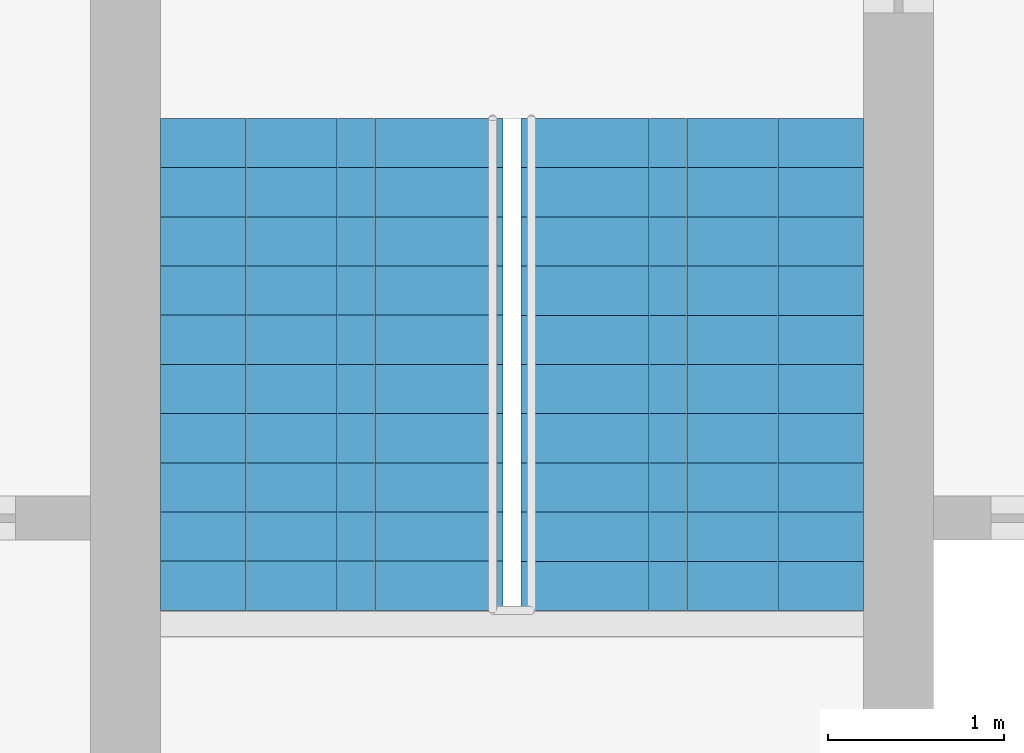
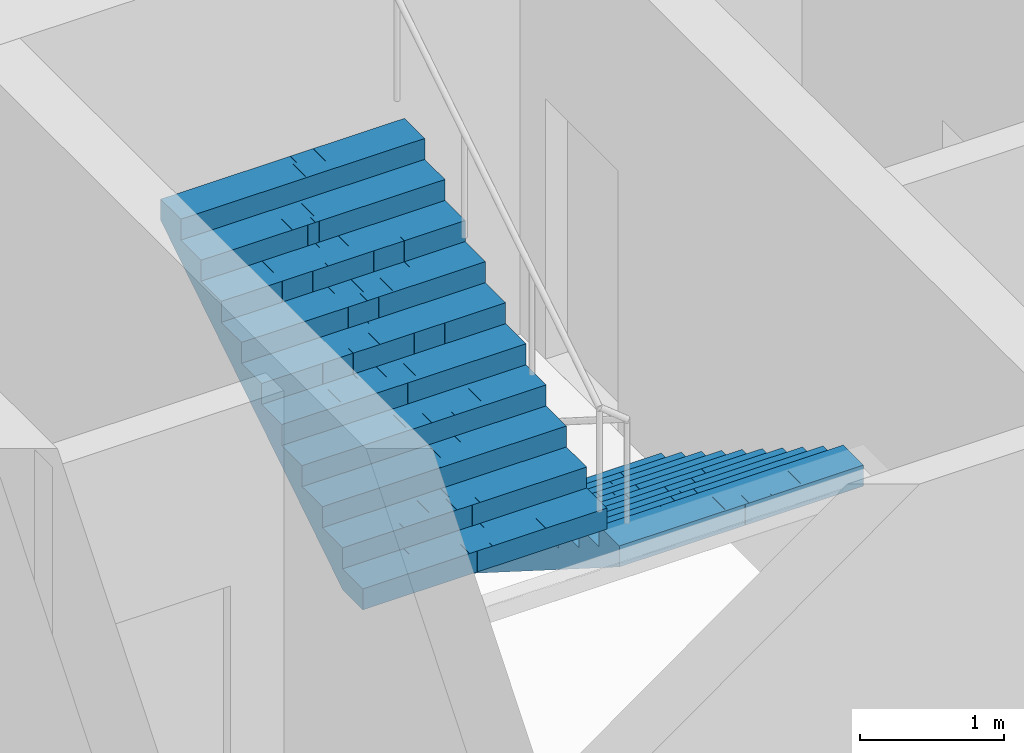
# One storey, part 21 of 22: 2 stair flights, 1 element without a shape of its own.
"""IFC4 building model written with IfcOpenShell, lengths in metres."""

from ifc_helpers import new_model, si_unit, direction, frame, origin, place, context, subcontext, project, spatial, polyline, outline, extrude, material, type_object, element, aggregate, save


model = new_model("IFC4")

# Units and contexts
model_context = context("Model", 3, precision=1e-05, world=origin(), true_north=direction((0.0, 1.0)))
body_context = subcontext(model_context, "Body", "Model", "MODEL_VIEW")
ifc_project = project(units=[si_unit("LENGTHUNIT", "METRE"), si_unit("AREAUNIT", "SQUARE_METRE"), si_unit("VOLUMEUNIT", "CUBIC_METRE"), si_unit("PLANEANGLEUNIT", "RADIAN"), si_unit("MASSUNIT", "GRAM", prefix="KILO")], contexts=[model_context])

# Site, building, storey
site_placement = place(None, origin())
site = spatial("IfcSite", under=ifc_project, at=site_placement, CompositionType="ELEMENT")
building_placement = place(site_placement, origin())
building = spatial("IfcBuilding", under=site, at=building_placement, Name="Mizan Broadcast Tower", CompositionType="ELEMENT")
storey_placement = place(building_placement, frame((0.0, 0.0, 82.5)))
storey = spatial("IfcBuildingStorey", under=building, at=storey_placement, Name="L17", CompositionType="ELEMENT", Elevation=82.5)

# Stair, stair flights
ifc_material_1 = material(Name="Concrete C40/50", Category="concrete")
stair_type = type_object("IfcStairType", Name="EXIT STAIR", PredefinedType="HALF_TURN_STAIR", material=ifc_material_1)
stair_placement = place(storey_placement, origin())
stair = element("IfcStair", 1, at=stair_placement, inside=storey, type_object=stair_type, Name="Stair B L17", PredefinedType="HALF_TURN_STAIR")
ifc_material_2 = material(Name="Concrete C40/50", Category="concrete")
stair_flight_type = type_object("IfcStairFlightType", Name="EXIT STAIR FLIGHT", PredefinedType="STRAIGHT", material=ifc_material_2)
stair_flight_1_placement = place(storey_placement, frame((1.02490234375, 7.89990234375, 0.0), z_axis=(0.0, 0.0, 1.0), x_axis=(0.0, -1.0, 0.0)))
stair_flight_1 = element("IfcStairFlight", 2, at=stair_flight_1_placement, type_object=stair_flight_type, Name="B flight 1", NumberOfRisers=11, NumberOfTreads=10, PredefinedType="STRAIGHT", RiserHeight=0.177272727, TreadLength=0.28, context=body_context, shape_type="SweptSolid", body=[
    extrude(outline(polyline([(0.0, 0.0), (0.0, 0.17724609375), (0.280029296875, 0.17724609375), (0.280029296875, 0.3544921875), (0.56005859375, 0.3544921875), (0.56005859375, 0.53173828125), (0.840087890625, 0.53173828125), (0.840087890625, 0.708984375), (1.1201171875, 0.708984375), (1.1201171875, 0.886474609375), (1.39990234375, 0.886474609375), (1.39990234375, 1.063720703125), (1.679931640625, 1.063720703125), (1.679931640625, 1.240966796875), (1.9599609375, 1.240966796875), (1.9599609375, 1.418212890625), (2.239990234375, 1.418212890625), (2.239990234375, 1.595458984375), (2.52001953125, 1.595458984375), (2.52001953125, 1.772705078125), (2.800048828125, 1.772705078125), (2.800048828125, 1.949951171875), (2.800048828125, 1.59521484375), (0.2802734375, 0.0), (0.0, 0.0)])), frame((0.0, 0.97509765625, 0.0), z_axis=(0.0, -1.0, 0.0), x_axis=(1.0, 0.0, 0.0)), (0.0, 0.0, 1.0), 0.4873046875),
    extrude(outline(polyline([(0.0, 0.0), (0.0, 0.17724609375), (0.280029296875, 0.17724609375), (0.280029296875, 0.3544921875), (0.56005859375, 0.3544921875), (0.56005859375, 0.53173828125), (0.840087890625, 0.53173828125), (0.840087890625, 0.708984375), (1.1201171875, 0.708984375), (1.1201171875, 0.886474609375), (1.39990234375, 0.886474609375), (1.39990234375, 1.063720703125), (1.679931640625, 1.063720703125), (1.679931640625, 1.240966796875), (1.9599609375, 1.240966796875), (1.9599609375, 1.418212890625), (2.239990234375, 1.418212890625), (2.239990234375, 1.595458984375), (2.52001953125, 1.595458984375), (2.52001953125, 1.772705078125), (2.800048828125, 1.772705078125), (2.800048828125, 1.949951171875), (2.800048828125, 1.59521484375), (0.2802734375, 0.0), (0.0, 0.0)])), frame((0.0, 0.4873046875, 0.0), z_axis=(0.0, -1.0, 0.0), x_axis=(1.0, 0.0, 0.0)), (0.0, 0.0, 1.0), 0.2431640625),
    extrude(outline(polyline([(0.0, 0.0), (0.0, 0.17724609375), (0.280029296875, 0.17724609375), (0.280029296875, 0.3544921875), (0.56005859375, 0.3544921875), (0.56005859375, 0.53173828125), (0.840087890625, 0.53173828125), (0.840087890625, 0.708984375), (1.1201171875, 0.708984375), (1.1201171875, 0.886474609375), (1.39990234375, 0.886474609375), (1.39990234375, 1.063720703125), (1.679931640625, 1.063720703125), (1.679931640625, 1.240966796875), (1.9599609375, 1.240966796875), (1.9599609375, 1.418212890625), (2.239990234375, 1.418212890625), (2.239990234375, 1.595458984375), (2.52001953125, 1.595458984375), (2.52001953125, 1.772705078125), (2.800048828125, 1.772705078125), (2.800048828125, 1.949951171875), (2.800048828125, 1.59521484375), (0.2802734375, 0.0), (0.0, 0.0)])), frame((0.0, 0.24365234375, 0.0), z_axis=(0.0, -1.0, 0.0), x_axis=(1.0, 0.0, 0.0)), (0.0, 0.0, 1.0), 0.121337890625),
    extrude(outline(polyline([(0.0, 0.0), (0.0, 0.17724609375), (0.280029296875, 0.17724609375), (0.280029296875, 0.3544921875), (0.56005859375, 0.3544921875), (0.56005859375, 0.53173828125), (0.840087890625, 0.53173828125), (0.840087890625, 0.708984375), (1.1201171875, 0.708984375), (1.1201171875, 0.886474609375), (1.39990234375, 0.886474609375), (1.39990234375, 1.063720703125), (1.679931640625, 1.063720703125), (1.679931640625, 1.240966796875), (1.9599609375, 1.240966796875), (1.9599609375, 1.418212890625), (2.239990234375, 1.418212890625), (2.239990234375, 1.595458984375), (2.52001953125, 1.595458984375), (2.52001953125, 1.772705078125), (2.800048828125, 1.772705078125), (2.800048828125, 1.949951171875), (2.800048828125, 1.59521484375), (0.2802734375, 0.0), (0.0, 0.0)])), frame((0.0, 0.121826171875, 0.0), z_axis=(0.0, -1.0, 0.0), x_axis=(1.0, 0.0, 0.0)), (0.0, 0.0, 1.0), 0.060546875),
    extrude(outline(polyline([(0.0, 0.0), (0.0, 0.17724609375), (0.280029296875, 0.17724609375), (0.280029296875, 0.3544921875), (0.56005859375, 0.3544921875), (0.56005859375, 0.53173828125), (0.840087890625, 0.53173828125), (0.840087890625, 0.708984375), (1.1201171875, 0.708984375), (1.1201171875, 0.886474609375), (1.39990234375, 0.886474609375), (1.39990234375, 1.063720703125), (1.679931640625, 1.063720703125), (1.679931640625, 1.240966796875), (1.9599609375, 1.240966796875), (1.9599609375, 1.418212890625), (2.239990234375, 1.418212890625), (2.239990234375, 1.595458984375), (2.52001953125, 1.595458984375), (2.52001953125, 1.772705078125), (2.800048828125, 1.772705078125), (2.800048828125, 1.949951171875), (2.800048828125, 1.59521484375), (0.2802734375, 0.0), (0.0, 0.0)])), frame((0.0, 0.060791015625, 0.0), z_axis=(0.0, -1.0, 0.0), x_axis=(1.0, 0.0, 0.0)), (0.0, 0.0, 1.0), 0.030029296875),
    extrude(outline(polyline([(0.0, 0.0), (0.0, 0.17724609375), (0.280029296875, 0.17724609375), (0.280029296875, 0.3544921875), (0.56005859375, 0.3544921875), (0.56005859375, 0.53173828125), (0.840087890625, 0.53173828125), (0.840087890625, 0.708984375), (1.1201171875, 0.708984375), (1.1201171875, 0.886474609375), (1.39990234375, 0.886474609375), (1.39990234375, 1.063720703125), (1.679931640625, 1.063720703125), (1.679931640625, 1.240966796875), (1.9599609375, 1.240966796875), (1.9599609375, 1.418212890625), (2.239990234375, 1.418212890625), (2.239990234375, 1.595458984375), (2.52001953125, 1.595458984375), (2.52001953125, 1.772705078125), (2.800048828125, 1.772705078125), (2.800048828125, 1.949951171875), (2.800048828125, 1.59521484375), (0.2802734375, 0.0), (0.0, 0.0)])), frame((0.0, 0.0302734375, 0.0), z_axis=(0.0, -1.0, 0.0), x_axis=(1.0, 0.0, 0.0)), (0.0, 0.0, 1.0), 0.060302734375),
    extrude(outline(polyline([(0.0, 0.0), (0.0, 0.17724609375), (0.280029296875, 0.17724609375), (0.280029296875, 0.3544921875), (0.56005859375, 0.3544921875), (0.56005859375, 0.53173828125), (0.840087890625, 0.53173828125), (0.840087890625, 0.708984375), (1.1201171875, 0.708984375), (1.1201171875, 0.886474609375), (1.39990234375, 0.886474609375), (1.39990234375, 1.063720703125), (1.679931640625, 1.063720703125), (1.679931640625, 1.240966796875), (1.9599609375, 1.240966796875), (1.9599609375, 1.418212890625), (2.239990234375, 1.418212890625), (2.239990234375, 1.595458984375), (2.52001953125, 1.595458984375), (2.52001953125, 1.772705078125), (2.800048828125, 1.772705078125), (2.800048828125, 1.949951171875), (2.800048828125, 1.59521484375), (0.2802734375, 0.0), (0.0, 0.0)])), frame((0.0, -0.030517578125, 0.0), z_axis=(0.0, -1.0, 0.0), x_axis=(1.0, 0.0, 0.0)), (0.0, 0.0, 1.0), 0.030029296875),
    extrude(outline(polyline([(0.0, 0.0), (0.0, 0.17724609375), (0.280029296875, 0.17724609375), (0.280029296875, 0.3544921875), (0.56005859375, 0.3544921875), (0.56005859375, 0.53173828125), (0.840087890625, 0.53173828125), (0.840087890625, 0.708984375), (1.1201171875, 0.708984375), (1.1201171875, 0.886474609375), (1.39990234375, 0.886474609375), (1.39990234375, 1.063720703125), (1.679931640625, 1.063720703125), (1.679931640625, 1.240966796875), (1.9599609375, 1.240966796875), (1.9599609375, 1.418212890625), (2.239990234375, 1.418212890625), (2.239990234375, 1.595458984375), (2.52001953125, 1.595458984375), (2.52001953125, 1.772705078125), (2.800048828125, 1.772705078125), (2.800048828125, 1.949951171875), (2.800048828125, 1.59521484375), (0.2802734375, 0.0), (0.0, 0.0)])), frame((0.0, -0.06103515625, 0.0), z_axis=(0.0, -1.0, 0.0), x_axis=(1.0, 0.0, 0.0)), (0.0, 0.0, 1.0), 0.060546875),
    extrude(outline(polyline([(0.0, 0.0), (0.0, 0.17724609375), (0.280029296875, 0.17724609375), (0.280029296875, 0.3544921875), (0.56005859375, 0.3544921875), (0.56005859375, 0.53173828125), (0.840087890625, 0.53173828125), (0.840087890625, 0.708984375), (1.1201171875, 0.708984375), (1.1201171875, 0.886474609375), (1.39990234375, 0.886474609375), (1.39990234375, 1.063720703125), (1.679931640625, 1.063720703125), (1.679931640625, 1.240966796875), (1.9599609375, 1.240966796875), (1.9599609375, 1.418212890625), (2.239990234375, 1.418212890625), (2.239990234375, 1.595458984375), (2.52001953125, 1.595458984375), (2.52001953125, 1.772705078125), (2.800048828125, 1.772705078125), (2.800048828125, 1.949951171875), (2.800048828125, 1.59521484375), (0.2802734375, 0.0), (0.0, 0.0)])), frame((0.0, -0.1220703125, 0.0), z_axis=(0.0, -1.0, 0.0), x_axis=(1.0, 0.0, 0.0)), (0.0, 0.0, 1.0), 0.121337890625),
    extrude(outline(polyline([(0.0, 0.0), (0.0, 0.17724609375), (0.280029296875, 0.17724609375), (0.280029296875, 0.3544921875), (0.56005859375, 0.3544921875), (0.56005859375, 0.53173828125), (0.840087890625, 0.53173828125), (0.840087890625, 0.708984375), (1.1201171875, 0.708984375), (1.1201171875, 0.886474609375), (1.39990234375, 0.886474609375), (1.39990234375, 1.063720703125), (1.679931640625, 1.063720703125), (1.679931640625, 1.240966796875), (1.9599609375, 1.240966796875), (1.9599609375, 1.418212890625), (2.239990234375, 1.418212890625), (2.239990234375, 1.595458984375), (2.52001953125, 1.595458984375), (2.52001953125, 1.772705078125), (2.800048828125, 1.772705078125), (2.800048828125, 1.949951171875), (2.800048828125, 1.59521484375), (0.2802734375, 0.0), (0.0, 0.0)])), frame((0.0, -0.243896484375, 0.0), z_axis=(0.0, -1.0, 0.0), x_axis=(1.0, 0.0, 0.0)), (0.0, 0.0, 1.0), 0.2431640625),
    extrude(outline(polyline([(0.0, 0.0), (0.0, 0.17724609375), (0.280029296875, 0.17724609375), (0.280029296875, 0.3544921875), (0.56005859375, 0.3544921875), (0.56005859375, 0.53173828125), (0.840087890625, 0.53173828125), (0.840087890625, 0.708984375), (1.1201171875, 0.708984375), (1.1201171875, 0.886474609375), (1.39990234375, 0.886474609375), (1.39990234375, 1.063720703125), (1.679931640625, 1.063720703125), (1.679931640625, 1.240966796875), (1.9599609375, 1.240966796875), (1.9599609375, 1.418212890625), (2.239990234375, 1.418212890625), (2.239990234375, 1.595458984375), (2.52001953125, 1.595458984375), (2.52001953125, 1.772705078125), (2.800048828125, 1.772705078125), (2.800048828125, 1.949951171875), (2.800048828125, 1.59521484375), (0.2802734375, 0.0), (0.0, 0.0)])), frame((0.0, -0.487548828125, 0.0), z_axis=(0.0, -1.0, 0.0), x_axis=(1.0, 0.0, 0.0)), (0.0, 0.0, 1.0), 0.4873046875),
])
stair_flight_2_placement = place(storey_placement, frame((-1.02490234375, 5.10009765625, 1.949951171875), z_axis=(0.0, 0.0, 1.0), x_axis=(0.0, 1.0, 0.0)))
stair_flight_2 = element("IfcStairFlight", 3, at=stair_flight_2_placement, type_object=stair_flight_type, Name="B flight 2", NumberOfRisers=11, NumberOfTreads=10, PredefinedType="STRAIGHT", RiserHeight=0.177272727, TreadLength=0.28, context=body_context, shape_type="SweptSolid", body=[
    extrude(outline(polyline([(0.0, 0.0), (0.0, 0.17724609375), (0.280029296875, 0.17724609375), (0.280029296875, 0.3544921875), (0.56005859375, 0.3544921875), (0.56005859375, 0.53173828125), (0.840087890625, 0.53173828125), (0.840087890625, 0.708984375), (1.1201171875, 0.708984375), (1.1201171875, 0.886474609375), (1.39990234375, 0.886474609375), (1.39990234375, 1.063720703125), (1.679931640625, 1.063720703125), (1.679931640625, 1.240966796875), (1.9599609375, 1.240966796875), (1.9599609375, 1.418212890625), (2.239990234375, 1.418212890625), (2.239990234375, 1.595458984375), (2.52001953125, 1.595458984375), (2.52001953125, 1.772705078125), (2.800048828125, 1.772705078125), (2.800048828125, 1.949951171875), (2.800048828125, 1.59521484375), (0.2802734375, 0.0), (0.0, 0.0)])), frame((0.0, 0.97509765625, 0.0), z_axis=(0.0, -1.0, 0.0), x_axis=(1.0, 0.0, 0.0)), (0.0, 0.0, 1.0), 0.4873046875),
    extrude(outline(polyline([(0.0, 0.0), (0.0, 0.17724609375), (0.280029296875, 0.17724609375), (0.280029296875, 0.3544921875), (0.56005859375, 0.3544921875), (0.56005859375, 0.53173828125), (0.840087890625, 0.53173828125), (0.840087890625, 0.708984375), (1.1201171875, 0.708984375), (1.1201171875, 0.886474609375), (1.39990234375, 0.886474609375), (1.39990234375, 1.063720703125), (1.679931640625, 1.063720703125), (1.679931640625, 1.240966796875), (1.9599609375, 1.240966796875), (1.9599609375, 1.418212890625), (2.239990234375, 1.418212890625), (2.239990234375, 1.595458984375), (2.52001953125, 1.595458984375), (2.52001953125, 1.772705078125), (2.800048828125, 1.772705078125), (2.800048828125, 1.949951171875), (2.800048828125, 1.59521484375), (0.2802734375, 0.0), (0.0, 0.0)])), frame((0.0, 0.4873046875, 0.0), z_axis=(0.0, -1.0, 0.0), x_axis=(1.0, 0.0, 0.0)), (0.0, 0.0, 1.0), 0.2431640625),
    extrude(outline(polyline([(0.0, 0.0), (0.0, 0.17724609375), (0.280029296875, 0.17724609375), (0.280029296875, 0.3544921875), (0.56005859375, 0.3544921875), (0.56005859375, 0.53173828125), (0.840087890625, 0.53173828125), (0.840087890625, 0.708984375), (1.1201171875, 0.708984375), (1.1201171875, 0.886474609375), (1.39990234375, 0.886474609375), (1.39990234375, 1.063720703125), (1.679931640625, 1.063720703125), (1.679931640625, 1.240966796875), (1.9599609375, 1.240966796875), (1.9599609375, 1.418212890625), (2.239990234375, 1.418212890625), (2.239990234375, 1.595458984375), (2.52001953125, 1.595458984375), (2.52001953125, 1.772705078125), (2.800048828125, 1.772705078125), (2.800048828125, 1.949951171875), (2.800048828125, 1.59521484375), (0.2802734375, 0.0), (0.0, 0.0)])), frame((0.0, 0.24365234375, 0.0), z_axis=(0.0, -1.0, 0.0), x_axis=(1.0, 0.0, 0.0)), (0.0, 0.0, 1.0), 0.121337890625),
    extrude(outline(polyline([(0.0, 0.0), (0.0, 0.17724609375), (0.280029296875, 0.17724609375), (0.280029296875, 0.3544921875), (0.56005859375, 0.3544921875), (0.56005859375, 0.53173828125), (0.840087890625, 0.53173828125), (0.840087890625, 0.708984375), (1.1201171875, 0.708984375), (1.1201171875, 0.886474609375), (1.39990234375, 0.886474609375), (1.39990234375, 1.063720703125), (1.679931640625, 1.063720703125), (1.679931640625, 1.240966796875), (1.9599609375, 1.240966796875), (1.9599609375, 1.418212890625), (2.239990234375, 1.418212890625), (2.239990234375, 1.595458984375), (2.52001953125, 1.595458984375), (2.52001953125, 1.772705078125), (2.800048828125, 1.772705078125), (2.800048828125, 1.949951171875), (2.800048828125, 1.59521484375), (0.2802734375, 0.0), (0.0, 0.0)])), frame((0.0, 0.121826171875, 0.0), z_axis=(0.0, -1.0, 0.0), x_axis=(1.0, 0.0, 0.0)), (0.0, 0.0, 1.0), 0.060546875),
    extrude(outline(polyline([(0.0, 0.0), (0.0, 0.17724609375), (0.280029296875, 0.17724609375), (0.280029296875, 0.3544921875), (0.56005859375, 0.3544921875), (0.56005859375, 0.53173828125), (0.840087890625, 0.53173828125), (0.840087890625, 0.708984375), (1.1201171875, 0.708984375), (1.1201171875, 0.886474609375), (1.39990234375, 0.886474609375), (1.39990234375, 1.063720703125), (1.679931640625, 1.063720703125), (1.679931640625, 1.240966796875), (1.9599609375, 1.240966796875), (1.9599609375, 1.418212890625), (2.239990234375, 1.418212890625), (2.239990234375, 1.595458984375), (2.52001953125, 1.595458984375), (2.52001953125, 1.772705078125), (2.800048828125, 1.772705078125), (2.800048828125, 1.949951171875), (2.800048828125, 1.59521484375), (0.2802734375, 0.0), (0.0, 0.0)])), frame((0.0, 0.060791015625, 0.0), z_axis=(0.0, -1.0, 0.0), x_axis=(1.0, 0.0, 0.0)), (0.0, 0.0, 1.0), 0.030029296875),
    extrude(outline(polyline([(0.0, 0.0), (0.0, 0.17724609375), (0.280029296875, 0.17724609375), (0.280029296875, 0.3544921875), (0.56005859375, 0.3544921875), (0.56005859375, 0.53173828125), (0.840087890625, 0.53173828125), (0.840087890625, 0.708984375), (1.1201171875, 0.708984375), (1.1201171875, 0.886474609375), (1.39990234375, 0.886474609375), (1.39990234375, 1.063720703125), (1.679931640625, 1.063720703125), (1.679931640625, 1.240966796875), (1.9599609375, 1.240966796875), (1.9599609375, 1.418212890625), (2.239990234375, 1.418212890625), (2.239990234375, 1.595458984375), (2.52001953125, 1.595458984375), (2.52001953125, 1.772705078125), (2.800048828125, 1.772705078125), (2.800048828125, 1.949951171875), (2.800048828125, 1.59521484375), (0.2802734375, 0.0), (0.0, 0.0)])), frame((0.0, 0.0302734375, 0.0), z_axis=(0.0, -1.0, 0.0), x_axis=(1.0, 0.0, 0.0)), (0.0, 0.0, 1.0), 0.060302734375),
    extrude(outline(polyline([(0.0, 0.0), (0.0, 0.17724609375), (0.280029296875, 0.17724609375), (0.280029296875, 0.3544921875), (0.56005859375, 0.3544921875), (0.56005859375, 0.53173828125), (0.840087890625, 0.53173828125), (0.840087890625, 0.708984375), (1.1201171875, 0.708984375), (1.1201171875, 0.886474609375), (1.39990234375, 0.886474609375), (1.39990234375, 1.063720703125), (1.679931640625, 1.063720703125), (1.679931640625, 1.240966796875), (1.9599609375, 1.240966796875), (1.9599609375, 1.418212890625), (2.239990234375, 1.418212890625), (2.239990234375, 1.595458984375), (2.52001953125, 1.595458984375), (2.52001953125, 1.772705078125), (2.800048828125, 1.772705078125), (2.800048828125, 1.949951171875), (2.800048828125, 1.59521484375), (0.2802734375, 0.0), (0.0, 0.0)])), frame((0.0, -0.030517578125, 0.0), z_axis=(0.0, -1.0, 0.0), x_axis=(1.0, 0.0, 0.0)), (0.0, 0.0, 1.0), 0.030029296875),
    extrude(outline(polyline([(0.0, 0.0), (0.0, 0.17724609375), (0.280029296875, 0.17724609375), (0.280029296875, 0.3544921875), (0.56005859375, 0.3544921875), (0.56005859375, 0.53173828125), (0.840087890625, 0.53173828125), (0.840087890625, 0.708984375), (1.1201171875, 0.708984375), (1.1201171875, 0.886474609375), (1.39990234375, 0.886474609375), (1.39990234375, 1.063720703125), (1.679931640625, 1.063720703125), (1.679931640625, 1.240966796875), (1.9599609375, 1.240966796875), (1.9599609375, 1.418212890625), (2.239990234375, 1.418212890625), (2.239990234375, 1.595458984375), (2.52001953125, 1.595458984375), (2.52001953125, 1.772705078125), (2.800048828125, 1.772705078125), (2.800048828125, 1.949951171875), (2.800048828125, 1.59521484375), (0.2802734375, 0.0), (0.0, 0.0)])), frame((0.0, -0.06103515625, 0.0), z_axis=(0.0, -1.0, 0.0), x_axis=(1.0, 0.0, 0.0)), (0.0, 0.0, 1.0), 0.060546875),
    extrude(outline(polyline([(0.0, 0.0), (0.0, 0.17724609375), (0.280029296875, 0.17724609375), (0.280029296875, 0.3544921875), (0.56005859375, 0.3544921875), (0.56005859375, 0.53173828125), (0.840087890625, 0.53173828125), (0.840087890625, 0.708984375), (1.1201171875, 0.708984375), (1.1201171875, 0.886474609375), (1.39990234375, 0.886474609375), (1.39990234375, 1.063720703125), (1.679931640625, 1.063720703125), (1.679931640625, 1.240966796875), (1.9599609375, 1.240966796875), (1.9599609375, 1.418212890625), (2.239990234375, 1.418212890625), (2.239990234375, 1.595458984375), (2.52001953125, 1.595458984375), (2.52001953125, 1.772705078125), (2.800048828125, 1.772705078125), (2.800048828125, 1.949951171875), (2.800048828125, 1.59521484375), (0.2802734375, 0.0), (0.0, 0.0)])), frame((0.0, -0.1220703125, 0.0), z_axis=(0.0, -1.0, 0.0), x_axis=(1.0, 0.0, 0.0)), (0.0, 0.0, 1.0), 0.121337890625),
    extrude(outline(polyline([(0.0, 0.0), (0.0, 0.17724609375), (0.280029296875, 0.17724609375), (0.280029296875, 0.3544921875), (0.56005859375, 0.3544921875), (0.56005859375, 0.53173828125), (0.840087890625, 0.53173828125), (0.840087890625, 0.708984375), (1.1201171875, 0.708984375), (1.1201171875, 0.886474609375), (1.39990234375, 0.886474609375), (1.39990234375, 1.063720703125), (1.679931640625, 1.063720703125), (1.679931640625, 1.240966796875), (1.9599609375, 1.240966796875), (1.9599609375, 1.418212890625), (2.239990234375, 1.418212890625), (2.239990234375, 1.595458984375), (2.52001953125, 1.595458984375), (2.52001953125, 1.772705078125), (2.800048828125, 1.772705078125), (2.800048828125, 1.949951171875), (2.800048828125, 1.59521484375), (0.2802734375, 0.0), (0.0, 0.0)])), frame((0.0, -0.243896484375, 0.0), z_axis=(0.0, -1.0, 0.0), x_axis=(1.0, 0.0, 0.0)), (0.0, 0.0, 1.0), 0.2431640625),
    extrude(outline(polyline([(0.0, 0.0), (0.0, 0.17724609375), (0.280029296875, 0.17724609375), (0.280029296875, 0.3544921875), (0.56005859375, 0.3544921875), (0.56005859375, 0.53173828125), (0.840087890625, 0.53173828125), (0.840087890625, 0.708984375), (1.1201171875, 0.708984375), (1.1201171875, 0.886474609375), (1.39990234375, 0.886474609375), (1.39990234375, 1.063720703125), (1.679931640625, 1.063720703125), (1.679931640625, 1.240966796875), (1.9599609375, 1.240966796875), (1.9599609375, 1.418212890625), (2.239990234375, 1.418212890625), (2.239990234375, 1.595458984375), (2.52001953125, 1.595458984375), (2.52001953125, 1.772705078125), (2.800048828125, 1.772705078125), (2.800048828125, 1.949951171875), (2.800048828125, 1.59521484375), (0.2802734375, 0.0), (0.0, 0.0)])), frame((0.0, -0.487548828125, 0.0), z_axis=(0.0, -1.0, 0.0), x_axis=(1.0, 0.0, 0.0)), (0.0, 0.0, 1.0), 0.4873046875),
])
aggregate(stair, [stair_flight_1, stair_flight_2])

save(model, "model.ifc")
